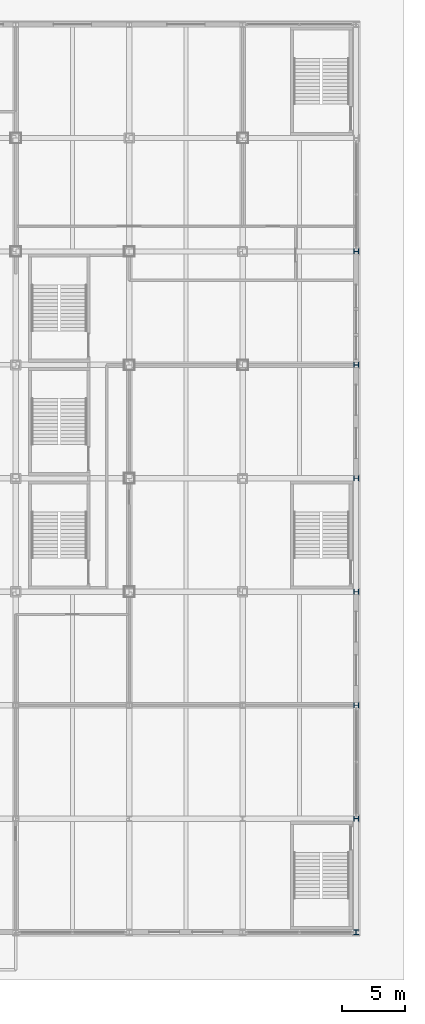
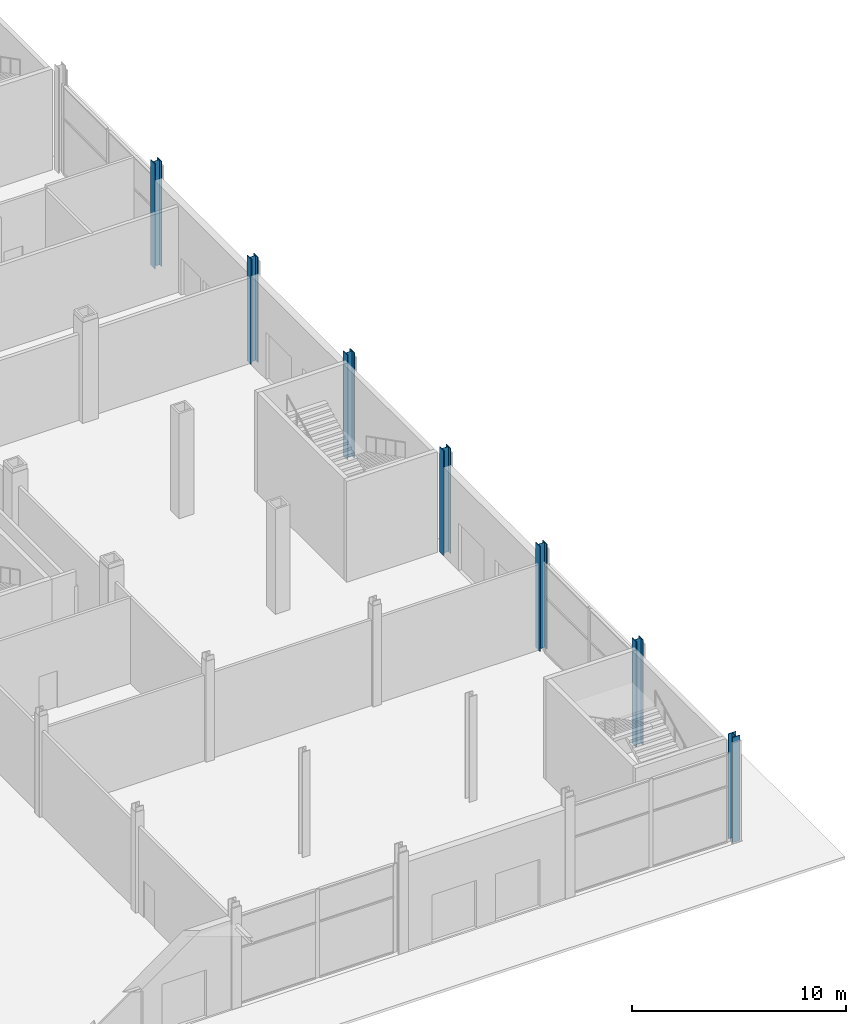
# One storey, part 3 of 34: 7 columns.
"""IFC4 building model written with IfcOpenShell, lengths in metres."""

import ifcopenshell
import ifcopenshell.guid

model = None  # the IFC model being written
_history = None  # IfcOwnerHistory: only IFC2X3 demands one
_inside = {}  # id of a spatial element -> (the spatial element, [elements in it])
_under = {}  # id of a project, library or spatial element -> (it, [spatial elements below it])
_declared = {}  # id of a project -> (the project, [libraries it declares])
_typed = {}  # id of a type object -> (the type object, [elements of that type])
_made_of = {}  # id of a material, layer set ... -> (it, [elements and type objects made of it])


def new_model(schema):
    """Start an empty IFC model of exactly this schema.

    Asked for "IFC4X3", IfcOpenShell would pick the latest addendum, in which some entities
    have other attributes; the version numbers below select the first issue.
    IFC2X3 requires an IfcOwnerHistory on every rooted entity: one is made here for all.
    """
    global model, _history
    if schema == "IFC4X3":
        model = ifcopenshell.file(schema_version=(4, 3, 0, 0))
    else:
        model = ifcopenshell.file(schema=schema)
    _inside.clear()
    _under.clear()
    _declared.clear()
    _typed.clear()
    _made_of.clear()
    _history = None
    if model.schema == "IFC2X3":
        org = make("IfcOrganization", Name="unknown")
        user = make(
            "IfcPersonAndOrganization",
            ThePerson=make("IfcPerson", FamilyName="unknown"),
            TheOrganization=org,
        )
        app = make(
            "IfcApplication",
            ApplicationDeveloper=org,
            Version="unknown",
            ApplicationFullName="unknown",
            ApplicationIdentifier="unknown",
        )
        _history = make(
            "IfcOwnerHistory",
            OwningUser=user,
            OwningApplication=app,
            ChangeAction="ADDED",
            CreationDate=0,
        )
    return model


def make(cls, **values):
    """One entity of the class cls with the attributes given. An attribute that is None is left unset."""
    return model.create_entity(
        cls, **{name: value for name, value in values.items() if value is not None}
    )


def rooted(cls, **values):
    """An entity with a GlobalId (a new one), such as an element, a storey or a relation."""
    return make(cls, GlobalId=ifcopenshell.guid.new(), OwnerHistory=_history, **values)


def si_unit(unit_type, name, prefix=None):
    """IfcSIUnit, for example si_unit("LENGTHUNIT", "METRE", prefix="MILLI")."""
    return make("IfcSIUnit", UnitType=unit_type, Prefix=prefix, Name=name)


def assignment(units):
    """IfcUnitAssignment: the units of a project."""
    return None if units is None else make("IfcUnitAssignment", Units=units)


def point(xyz):
    """IfcCartesianPoint."""
    return None if xyz is None else make("IfcCartesianPoint", Coordinates=xyz)


def direction(xyz):
    """IfcDirection."""
    return None if xyz is None else make("IfcDirection", DirectionRatios=xyz)


def frame(location, z_axis=None, x_axis=None):
    """IfcAxis2Placement3D, a coordinate frame: its origin and axes. An axis left out is left unset."""
    return make(
        "IfcAxis2Placement3D",
        Location=point(location),
        Axis=direction(z_axis),
        RefDirection=direction(x_axis),
    )


def frame_2d(location, x_axis=None):
    """IfcAxis2Placement2D, a coordinate frame in the plane: its origin and x axis."""
    return make(
        "IfcAxis2Placement2D", Location=point(location), RefDirection=direction(x_axis)
    )


def origin():
    """The frame at (0, 0, 0) with its axes left unset."""
    return frame((0.0, 0.0, 0.0))


def origin_2d():
    """The frame at (0, 0) in the plane with its x axis left unset."""
    return frame_2d((0.0, 0.0))


def place(relative_to, where):
    """IfcLocalPlacement: puts the frame where relative to a parent placement (None: the world)."""
    return make(
        "IfcLocalPlacement", PlacementRelTo=relative_to, RelativePlacement=where
    )


def context(
    kind, dimensions, precision=None, world=None, true_north=None, identifier=None
):
    """IfcGeometricRepresentationContext, for example the 3D "Model" context."""
    return make(
        "IfcGeometricRepresentationContext",
        ContextIdentifier=identifier,
        ContextType=kind,
        CoordinateSpaceDimension=dimensions,
        Precision=precision,
        WorldCoordinateSystem=world,
        TrueNorth=true_north,
    )


def subcontext(parent, identifier, kind, view, scale=None):
    """IfcGeometricRepresentationSubContext, for example "Body" below "Model"."""
    return make(
        "IfcGeometricRepresentationSubContext",
        ContextIdentifier=identifier,
        ContextType=kind,
        ParentContext=parent,
        TargetScale=scale,
        TargetView=view,
    )


def project(units=None, contexts=None):
    """IfcProject with its units and contexts."""
    return rooted(
        "IfcProject",
        Name="project",
        RepresentationContexts=contexts,
        UnitsInContext=assignment(units),
    )


def spatial(cls, under=None, at=None, **own):
    """A site, building, storey or space (cls), placed at a placement, below another one or the project."""
    s = rooted(cls, ObjectPlacement=at, **own)
    if under is not None:
        _under.setdefault(under.id(), (under, []))[1].append(s)
    return s


def profile(cls, at=None, kind="AREA", **sizes):
    """A parametric profile (cls). Its sizes go by their IFC names, for example OverallWidth=200.0."""
    return make(cls, ProfileType=kind, Position=at, **sizes)


def i_section(**sizes):
    """IfcIShapeProfileDef."""
    return profile("IfcIShapeProfileDef", **sizes)


def extrude(swept, where, along, depth):
    """IfcExtrudedAreaSolid: the profile swept, set in the frame where, extruded along a direction by depth."""
    return make(
        "IfcExtrudedAreaSolid",
        SweptArea=swept,
        Position=where,
        ExtrudedDirection=direction(along),
        Depth=depth,
    )


def shape(context_of_items, identifier, shape_type, items):
    """IfcShapeRepresentation: the items that make up one representation, for example the "Body"."""
    return make(
        "IfcShapeRepresentation",
        ContextOfItems=context_of_items,
        RepresentationIdentifier=identifier,
        RepresentationType=shape_type,
        Items=items,
    )


def material(Name=None, Category=None):
    """IfcMaterial."""
    return make("IfcMaterial", Name=Name, Category=Category)


def material_profile(
    of_material, cross_section, Name=None, Category=None, Priority=None
):
    """IfcMaterialProfile: a cross section and its material."""
    return make(
        "IfcMaterialProfile",
        Name=Name,
        Material=of_material,
        Profile=cross_section,
        Priority=Priority,
        Category=Category,
    )


def profile_set(profiles, Name=None, composite=None):
    """IfcMaterialProfileSet."""
    return make(
        "IfcMaterialProfileSet",
        Name=Name,
        MaterialProfiles=profiles,
        CompositeProfile=composite,
    )


def made_of(thing, what):
    """Note that an element or type object is made of a material, layer set ...; save() writes the relation."""
    if what is not None:
        _made_of.setdefault(what.id(), (what, []))[1].append(thing)
    return thing


def type_object(cls, material=None, **own):
    """A type object (cls), such as IfcWallType, which elements share."""
    return made_of(rooted(cls, **own), material)


def element(
    cls,
    number,
    at=None,
    inside=None,
    cuts=None,
    type_object=None,
    material=None,
    context=None,
    identifier="Body",
    shape_type=None,
    held_by="IfcProductDefinitionShape",
    body=None,
    shapes=None,
    **own,
):
    """One element of the class cls, such as IfcWall. Its Tag is "e" and its number.

    at: its placement. inside: the storey or other place that contains it. cuts: it is an
    opening in that element (IfcRelVoidsElement). A single representation is given by context,
    identifier, shape_type and body (its items); several are given by shapes. held_by: the class
    of the entity that holds the representations. save() writes the other relations.
    """
    e = rooted(cls, Tag="e%d" % number, ObjectPlacement=at, **own)
    if body is not None:
        shapes = [shape(context, identifier, shape_type, body)]
    if shapes is not None:
        e.Representation = make(held_by, Representations=shapes)
    if inside is not None:
        _inside.setdefault(inside.id(), (inside, []))[1].append(e)
    if cuts is not None:
        rooted(
            "IfcRelVoidsElement", RelatingBuildingElement=cuts, RelatedOpeningElement=e
        )
    if type_object is not None:
        _typed.setdefault(type_object.id(), (type_object, []))[1].append(e)
    return made_of(e, material)


def aggregate(whole, parts):
    """IfcRelAggregates: a whole, such as a stair, and the parts it consists of."""
    return rooted("IfcRelAggregates", RelatingObject=whole, RelatedObjects=parts)


def save(model, path):
    """Write the relations noted so far, then the file.

    IfcRelAggregates (storeys below a building ...), IfcRelContainedInSpatialStructure (elements
    in a storey), IfcRelDefinesByType, IfcRelAssociatesMaterial and IfcRelDeclares: one each for
    every whole, place, type object, material and project.
    """
    for whole, parts in _under.values():
        aggregate(whole, parts)
    for where, things in _inside.values():
        rooted(
            "IfcRelContainedInSpatialStructure",
            RelatedElements=things,
            RelatingStructure=where,
        )
    for kind, things in _typed.values():
        rooted("IfcRelDefinesByType", RelatedObjects=things, RelatingType=kind)
    for what, things in _made_of.values():
        rooted("IfcRelAssociatesMaterial", RelatedObjects=things, RelatingMaterial=what)
    for by, libraries in _declared.values():
        rooted("IfcRelDeclares", RelatingContext=by, RelatedDefinitions=libraries)
    model.write(path)


model = new_model("IFC4")

# Units and contexts
model_context = context("Model", 3, precision=1e-05, world=origin(), true_north=direction((0.0, 1.0)))
body_context = subcontext(model_context, "Body", "Model", "MODEL_VIEW")
ifc_project = project(units=[si_unit("LENGTHUNIT", "METRE"), si_unit("AREAUNIT", "SQUARE_METRE"), si_unit("VOLUMEUNIT", "CUBIC_METRE"), si_unit("PLANEANGLEUNIT", "RADIAN"), si_unit("MASSUNIT", "GRAM", prefix="KILO")], contexts=[model_context])

# Site, building, storey
site_placement = place(None, origin())
site = spatial("IfcSite", under=ifc_project, at=site_placement, CompositionType="ELEMENT")
building_placement = place(site_placement, origin())
building = spatial("IfcBuilding", under=site, at=building_placement, Name="Loomwork Tower", CompositionType="ELEMENT")
storey_placement = place(building_placement, origin())
storey = spatial("IfcBuildingStorey", under=building, at=storey_placement, Name="L00", CompositionType="ELEMENT", Elevation=0.0)

# Columns
ifc_material = material(Name="Steel ASTM A992", Category="steel")
ifc_material_profile = material_profile(ifc_material, i_section(OverallWidth=0.4013671875, OverallDepth=0.398681640625, WebThickness=0.02490234375, FlangeThickness=0.03955078125, at=origin_2d()), Name="W14x211")
ifc_profile_set = profile_set([ifc_material_profile], Name="Steel ASTM A992")
column_type = type_object("IfcColumnType", Name="PODIUM COLUMN W14x211", PredefinedType="COLUMN", material=ifc_profile_set)
for number, where, z_axis, x_axis, name in (
    (1, (63.0, -27.0, 0.0), (0.0, 0.0, 1.0), (1.0, 0.0, 0.0), "Podium Column A/9 L00"),
    (2, (63.0, -18.0, 0.0), (0.0, 0.0, 1.0), (0.0, 1.0, 0.0), "Podium Column B/9 L00"),
    (3, (63.0, -9.0, 0.0), (0.0, 0.0, 1.0), (0.0, 1.0, 0.0), "Podium Column C/9 L00"),
    (4, (63.0, 0.0, 0.0), (0.0, 0.0, 1.0), (0.0, 1.0, 0.0), "Podium Column D/9 L00"),
    (5, (63.0, 9.0, 0.0), (0.0, 0.0, 1.0), (0.0, 1.0, 0.0), "Podium Column E/9 L00"),
    (6, (63.0, 18.0, 0.0), (0.0, 0.0, 1.0), (0.0, 1.0, 0.0), "Podium Column F/9 L00"),
    (7, (63.0, 27.0, 0.0), (0.0, 0.0, 1.0), (0.0, 1.0, 0.0), "Podium Column G/9 L00"),
):
    element("IfcColumn", number, at=place(storey_placement, frame(where, z_axis=z_axis, x_axis=x_axis)), inside=storey, type_object=column_type, Name=name, PredefinedType="COLUMN", context=body_context, shape_type="SweptSolid", body=[
        extrude(i_section(OverallWidth=0.4013671875, OverallDepth=0.398681640625, WebThickness=0.02490234375, FlangeThickness=0.03955078125, at=origin_2d()), origin(), (0.0, 0.0, 1.0), 6.0),
    ])

save(model, "model.ifc")
